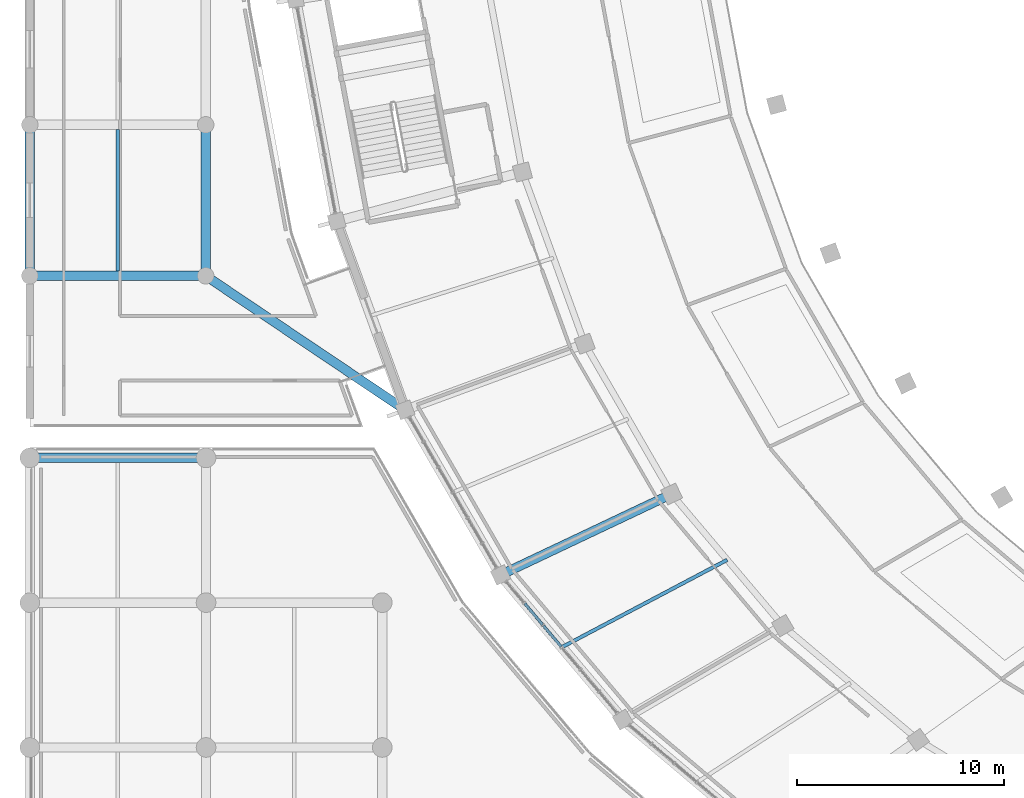
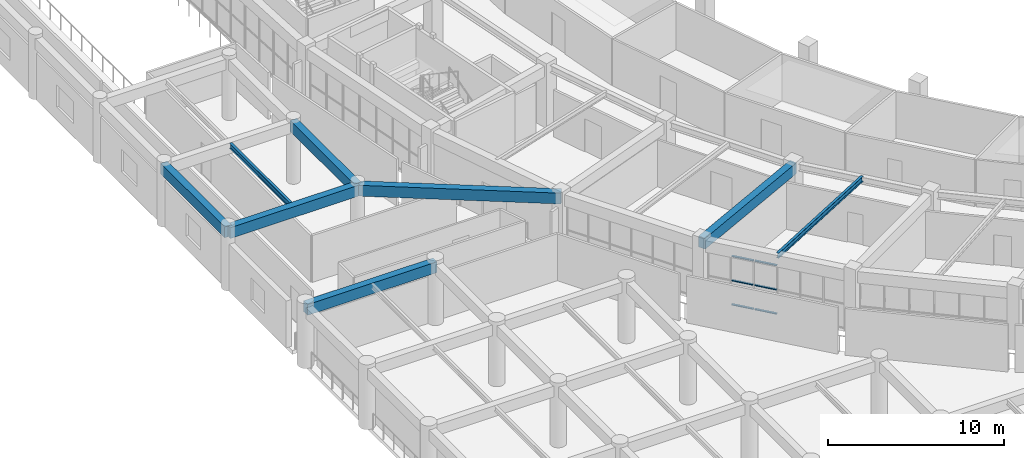
# One storey, part 18 of 141: 8 beams, 6 members, 1 element without a shape of its own.
"""IFC4 building model written with IfcOpenShell, lengths in metres."""

from ifc_helpers import new_model, si_unit, direction, frame, origin, origin_2d, place, context, subcontext, project, spatial, rectangle, i_section, extrude, material, layer, layer_set, material_profile, profile_set, type_object, element, aggregate, save


model = new_model("IFC4")

# Units and contexts
model_context = context("Model", 3, precision=1e-05, world=origin(), true_north=direction((0.0, 1.0)))
body_context = subcontext(model_context, "Body", "Model", "MODEL_VIEW")
ifc_project = project(units=[si_unit("LENGTHUNIT", "METRE"), si_unit("AREAUNIT", "SQUARE_METRE"), si_unit("VOLUMEUNIT", "CUBIC_METRE"), si_unit("PLANEANGLEUNIT", "RADIAN"), si_unit("MASSUNIT", "GRAM", prefix="KILO")], contexts=[model_context])

# Site, building, storey
site_placement = place(None, origin())
site = spatial("IfcSite", under=ifc_project, at=site_placement, CompositionType="ELEMENT")
building_placement = place(site_placement, origin())
building = spatial("IfcBuilding", under=site, at=building_placement, Name="Mphavela Belvedere Stadium", CompositionType="ELEMENT")
storey_placement = place(building_placement, frame((0.0, 0.0, 14.699951171875)))
storey = spatial("IfcBuildingStorey", under=building, at=storey_placement, Name="L03", CompositionType="ELEMENT", Elevation=14.699951171875)

# Beams
ifc_material_1 = material(Name="Steel S355", Category="steel")
ifc_material_profile_1 = material_profile(ifc_material_1, i_section(OverallWidth=0.169921875, OverallDepth=0.360107421875, WebThickness=0.008056640625, FlangeThickness=0.0126953125, at=origin_2d()), Name="IPE 360")
ifc_profile_set_1 = profile_set([ifc_material_profile_1], Name="Steel S355")
beam_type_1 = type_object("IfcBeamType", Name="BM-JOIST-IPE360", PredefinedType="JOIST", material=ifc_profile_set_1)
beam_1_placement = place(storey_placement, frame((33.7119140625, 44.06884765625, 4.070068359375), z_axis=(-0.884250771824, -0.467012390123, 0.0), x_axis=(0.467012390123, -0.884250771824, 0.0)))
element("IfcBeam", 1, at=beam_1_placement, inside=storey, type_object=beam_type_1, Name="Concourse floor joist L03-29", PredefinedType="JOIST", context=body_context, shape_type="SweptSolid", body=[
    extrude(i_section(OverallWidth=0.169921875, OverallDepth=0.360107421875, WebThickness=0.008056640625, FlangeThickness=0.0126953125, at=origin_2d()), origin(), (0.0, 0.0, 1.0), 9.0498046875),
])
beam_2_placement = place(storey_placement, frame((4.25, 58.02490234375, 4.06005859375), z_axis=(0.0, 1.0, 0.0), x_axis=(-1.0, 0.0, 0.0)))
element("IfcBeam", 2, at=beam_2_placement, inside=storey, type_object=beam_type_1, Name="West Planted Eaves Peristyle Colonnade secondary joist L03 1-2", PredefinedType="JOIST", context=body_context, shape_type="SweptSolid", body=[
    extrude(i_section(OverallWidth=0.169921875, OverallDepth=0.360107421875, WebThickness=0.008056640625, FlangeThickness=0.0126953125, at=origin_2d()), origin(), (0.0, 0.0, 1.0), 6.85009765625),
])
ifc_material_2 = material(Name="Concrete C40/50", Category="concrete")
ifc_material_profile_2 = material_profile(ifc_material_2, rectangle(XDim=0.449951171875, YDim=0.75, at=origin_2d()), Name="RC 450x750")
ifc_profile_set_2 = profile_set([ifc_material_profile_2], Name="Concrete C40/50")
beam_type_2 = type_object("IfcBeamType", Name="BM-RC450x750", PredefinedType="BEAM", material=ifc_profile_set_2)
beam_3_placement = place(storey_placement, frame((31.0244140625, 47.251708984375, 3.875), z_axis=(-0.903845427073, -0.427859140325, 0.0), x_axis=(0.427859140325, -0.903845427073, 0.0)))
element("IfcBeam", 3, at=beam_3_placement, inside=storey, type_object=beam_type_2, Name="Radial concourse girder L03 R3R4-29", PredefinedType="BEAM", context=body_context, shape_type="SweptSolid", body=[
    extrude(rectangle(XDim=0.449951171875, YDim=0.75, at=origin_2d()), origin(), (0.0, 0.0, 1.0), 9.146240234375),
])
beam_4_placement = place(storey_placement, frame((0.0, 49.0, 3.864990234375), z_axis=(1.0, 0.0, 0.0), x_axis=(0.0, 1.0, 0.0)))
element("IfcBeam", 4, at=beam_4_placement, inside=storey, type_object=beam_type_2, Name="South Axial Triumphal Peristyle Portico entablature beam X L03 1-8", PredefinedType="BEAM", context=body_context, shape_type="SweptSolid", body=[
    extrude(rectangle(XDim=0.449951171875, YDim=0.75, at=origin_2d()), origin(), (0.0, 0.0, 1.0), 8.51904296875),
])
beam_5_placement = place(storey_placement, frame((0.0, 57.800048828125, 3.864990234375), z_axis=(1.0, 0.0, 0.0), x_axis=(0.0, 1.0, 0.0)))
element("IfcBeam", 5, at=beam_5_placement, inside=storey, type_object=beam_type_2, Name="West Planted Eaves Peristyle Colonnade entablature beam X L03 1-2", PredefinedType="BEAM", context=body_context, shape_type="SweptSolid", body=[
    extrude(rectangle(XDim=0.449951171875, YDim=0.75, at=origin_2d()), origin(), (0.0, 0.0, 1.0), 8.5),
])
for number, where, z_axis, x_axis, name in (
    (6, (0.0, 57.800048828125, 3.864990234375), (0.0, 1.0, 0.0), (-1.0, 0.0, 0.0), "West Planted Eaves Peristyle Colonnade entablature beam Y L03 1-2"),
    (7, (8.5, 57.800048828125, 3.864990234375), (0.0, 1.0, 0.0), (-1.0, 0.0, 0.0), "West Planted Eaves Peristyle Colonnade entablature beam Y L03 2-2"),
):
    element("IfcBeam", number, at=place(storey_placement, frame(where, z_axis=z_axis, x_axis=x_axis)), inside=storey, type_object=beam_type_2, Name=name, PredefinedType="BEAM", context=body_context, shape_type="SweptSolid", body=[
        extrude(rectangle(XDim=0.449951171875, YDim=0.75, at=origin_2d()), origin(), (0.0, 0.0, 1.0), 7.300048828125),
    ])
beam_6_placement = place(storey_placement, frame((8.5, 57.800048828125, 3.864990234375), z_axis=(0.82993028647, -0.557867116436, 0.0), x_axis=(0.557867116436, 0.82993028647, 0.0)))
element("IfcBeam", 8, at=beam_6_placement, inside=storey, type_object=beam_type_2, Name="West Planted Eaves Peristyle Colonnade bowl link girder L03-5", PredefinedType="BEAM", context=body_context, shape_type="SweptSolid", body=[
    extrude(rectangle(XDim=0.449951171875, YDim=0.75, at=origin_2d()), origin(), (0.0, 0.0, 1.0), 11.6201171875),
])

# Curtain wall, members
ifc_material_3 = material(Name="Anodised bronze unitised curtain wall framing")
ifc_layer = layer(ifc_material_3, 0.205078125)
ifc_layer_set = layer_set([ifc_layer], Name="Anodised bronze unitised curtain wall framing")
curtain_wall_type = type_object("IfcCurtainWallType", Name="CW-UNIT-06", PredefinedType="USERDEFINED", material=ifc_layer_set)
curtain_wall_placement = place(storey_placement, origin())
curtain_wall = element("IfcCurtainWall", 9, at=curtain_wall_placement, inside=storey, type_object=curtain_wall_type, Name="Belvedere colonnade curtain wall L03-29", ObjectType="UNITISED CURTAIN WALL", PredefinedType="USERDEFINED")
ifc_material_4 = material(Name="Anodised bronze extruded aluminium", Category="aluminium")
ifc_material_profile_3 = material_profile(ifc_material_4, rectangle(XDim=0.139892578125, YDim=0.06005859375, at=origin_2d()), Name="CW-TRN 140x60")
ifc_profile_set_3 = profile_set([ifc_material_profile_3], Name="Anodised bronze extruded aluminium")
member_type = type_object("IfcMemberType", Name="CWT-140x60", PredefinedType="USERDEFINED", material=ifc_profile_set_3)
member_1_placement = place(storey_placement, frame((23.9228515625, 41.958251953125, 0.030029296875), z_axis=(0.645311197861, -0.763919798091, 0.0), x_axis=(0.763919798091, 0.645311197861, 0.0)))
member_1 = element("IfcMember", 10, at=member_1_placement, type_object=member_type, Name="CW-06 transom 2.1", ObjectType="TRANSOM", PredefinedType="USERDEFINED", context=body_context, shape_type="SweptSolid", body=[
    extrude(rectangle(XDim=0.139892578125, YDim=0.06005859375, at=origin_2d()), origin(), (0.0, 0.0, 1.0), 1.3359375),
])
member_2_placement = place(storey_placement, frame((23.9228515625, 41.958251953125, 1.7099609375), z_axis=(0.645311197861, -0.763919798091, 0.0), x_axis=(0.763919798091, 0.645311197861, 0.0)))
member_2 = element("IfcMember", 11, at=member_2_placement, type_object=member_type, Name="CW-06 transom 2.2", ObjectType="TRANSOM", PredefinedType="USERDEFINED", context=body_context, shape_type="SweptSolid", body=[
    extrude(rectangle(XDim=0.139892578125, YDim=0.06005859375, at=origin_2d()), origin(), (0.0, 0.0, 1.0), 1.3359375),
])
member_3_placement = place(storey_placement, frame((23.9228515625, 41.958251953125, 3.39013671875), z_axis=(0.645311197861, -0.763919798091, 0.0), x_axis=(0.763919798091, 0.645311197861, 0.0)))
member_3 = element("IfcMember", 12, at=member_3_placement, type_object=member_type, Name="CW-06 transom 2.3", ObjectType="TRANSOM", PredefinedType="USERDEFINED", context=body_context, shape_type="SweptSolid", body=[
    extrude(rectangle(XDim=0.139892578125, YDim=0.06005859375, at=origin_2d()), origin(), (0.0, 0.0, 1.0), 1.3359375),
])
member_4_placement = place(storey_placement, frame((24.82666015625, 40.887939453125, 0.030029296875), z_axis=(0.645311197861, -0.763919798091, 0.0), x_axis=(0.763919798091, 0.645311197861, 0.0)))
member_4 = element("IfcMember", 13, at=member_4_placement, type_object=member_type, Name="CW-06 transom 3.1", ObjectType="TRANSOM", PredefinedType="USERDEFINED", context=body_context, shape_type="SweptSolid", body=[
    extrude(rectangle(XDim=0.139892578125, YDim=0.06005859375, at=origin_2d()), origin(), (0.0, 0.0, 1.0), 1.3359375),
])
member_5_placement = place(storey_placement, frame((24.82666015625, 40.887939453125, 1.7099609375), z_axis=(0.645311197861, -0.763919798091, 0.0), x_axis=(0.763919798091, 0.645311197861, 0.0)))
member_5 = element("IfcMember", 14, at=member_5_placement, type_object=member_type, Name="CW-06 transom 3.2", ObjectType="TRANSOM", PredefinedType="USERDEFINED", context=body_context, shape_type="SweptSolid", body=[
    extrude(rectangle(XDim=0.139892578125, YDim=0.06005859375, at=origin_2d()), origin(), (0.0, 0.0, 1.0), 1.3359375),
])
member_6_placement = place(storey_placement, frame((24.82666015625, 40.887939453125, 3.39013671875), z_axis=(0.645311197861, -0.763919798091, 0.0), x_axis=(0.763919798091, 0.645311197861, 0.0)))
member_6 = element("IfcMember", 15, at=member_6_placement, type_object=member_type, Name="CW-06 transom 3.3", ObjectType="TRANSOM", PredefinedType="USERDEFINED", context=body_context, shape_type="SweptSolid", body=[
    extrude(rectangle(XDim=0.139892578125, YDim=0.06005859375, at=origin_2d()), origin(), (0.0, 0.0, 1.0), 1.3359375),
])
aggregate(curtain_wall, [member_1, member_2, member_3, member_4, member_5, member_6])

save(model, "model.ifc")
